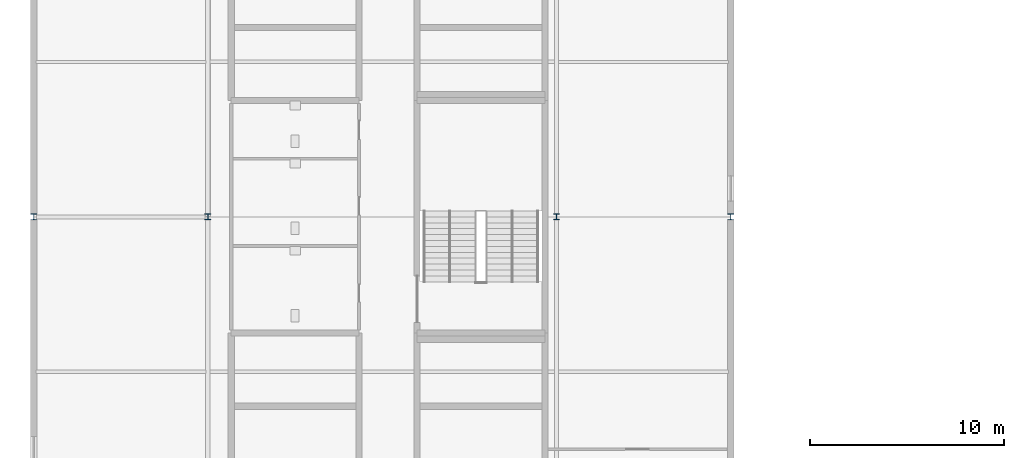
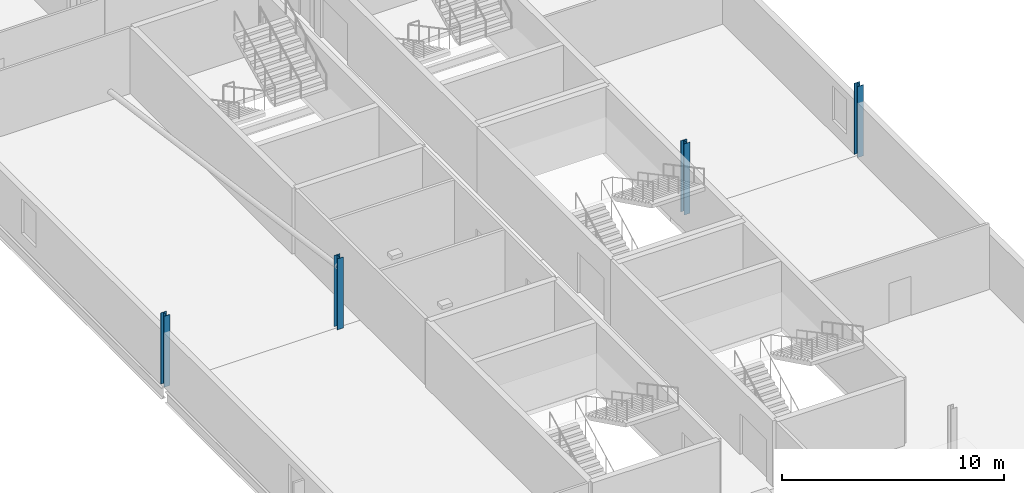
# One storey, part 3 of 31: 4 columns.
"""IFC4 building model written with IfcOpenShell, lengths in metres."""

from ifc_helpers import new_model, si_unit, direction, frame, origin, origin_2d, place, context, subcontext, project, spatial, i_section, extrude, material, material_profile, profile_set, type_object, element, save


model = new_model("IFC4")

# Units and contexts
model_context = context("Model", 3, precision=1e-05, world=origin(), true_north=direction((0.0, 1.0)))
body_context = subcontext(model_context, "Body", "Model", "MODEL_VIEW")
ifc_project = project(units=[si_unit("LENGTHUNIT", "METRE"), si_unit("AREAUNIT", "SQUARE_METRE"), si_unit("VOLUMEUNIT", "CUBIC_METRE"), si_unit("PLANEANGLEUNIT", "RADIAN"), si_unit("MASSUNIT", "GRAM", prefix="KILO")], contexts=[model_context])

# Site, building, storey
site_placement = place(None, origin())
site = spatial("IfcSite", under=ifc_project, at=site_placement, CompositionType="ELEMENT")
building_placement = place(site_placement, origin())
building = spatial("IfcBuilding", under=site, at=building_placement, Name="Kisiwana Market Hall", CompositionType="ELEMENT")
storey_placement = place(building_placement, frame((0.0, 0.0, 45.60009765625)))
storey = spatial("IfcBuildingStorey", under=building, at=storey_placement, Name="L10", CompositionType="ELEMENT", Elevation=45.60009765625)

# Columns
ifc_material_1 = material(Name="Steel S355", Category="steel")
ifc_material_profile_1 = material_profile(ifc_material_1, i_section(OverallWidth=0.300048828125, OverallDepth=0.320068359375, WebThickness=0.011474609375, FlangeThickness=0.0205078125, FilletRadius=0.027099609375, at=origin_2d()), Name="HEB 320")
ifc_profile_set_1 = profile_set([ifc_material_profile_1], Name="Steel S355")
column_type_1 = type_object("IfcColumnType", Name="COL-STL-HEB320", PredefinedType="COLUMN", material=ifc_profile_set_1)
for number, where, z_axis, x_axis, name in (
    (1, (0.0, 60.0, 0.0), (0.0, 0.0, 1.0), (1.0, 0.0, 0.0), "Column H/1 (L10) C-1269"),
    (2, (36.0, 60.0, 0.0), (0.0, 0.0, 1.0), (1.0, 0.0, 0.0), "Column H/5 (L10) C-1263"),
):
    element("IfcColumn", number, at=place(storey_placement, frame(where, z_axis=z_axis, x_axis=x_axis)), inside=storey, type_object=column_type_1, Name=name, PredefinedType="COLUMN", context=body_context, shape_type="SweptSolid", body=[
        extrude(i_section(OverallWidth=0.300048828125, OverallDepth=0.320068359375, WebThickness=0.011474609375, FlangeThickness=0.0205078125, FilletRadius=0.027099609375, at=origin_2d()), origin(), (0.0, 0.0, 1.0), 3.89990234375),
    ])
ifc_material_2 = material(Name="Steel S355", Category="steel")
ifc_material_profile_2 = material_profile(ifc_material_2, i_section(OverallWidth=0.307373046875, OverallDepth=0.314453125, WebThickness=0.011962890625, FlangeThickness=0.018798828125, FilletRadius=0.01513671875, at=origin_2d()), Name="UC 305x305x118")
ifc_profile_set_2 = profile_set([ifc_material_profile_2], Name="Steel S355")
column_type_2 = type_object("IfcColumnType", Name="COL-STL-UC118", PredefinedType="COLUMN", material=ifc_profile_set_2)
for number, where, z_axis, x_axis, name in (
    (3, (27.0, 60.0, 0.0), (0.0, 0.0, 1.0), (1.0, 0.0, 0.0), "Column H/4 (L10) C-1282"),
    (4, (9.0, 60.0, 0.0), (0.0, 0.0, 1.0), (1.0, 0.0, 0.0), "Column H/2 (L10) C-1262"),
):
    element("IfcColumn", number, at=place(storey_placement, frame(where, z_axis=z_axis, x_axis=x_axis)), inside=storey, type_object=column_type_2, Name=name, PredefinedType="COLUMN", context=body_context, shape_type="SweptSolid", body=[
        extrude(i_section(OverallWidth=0.307373046875, OverallDepth=0.314453125, WebThickness=0.011962890625, FlangeThickness=0.018798828125, FilletRadius=0.01513671875, at=origin_2d()), origin(), (0.0, 0.0, 1.0), 3.89990234375),
    ])

save(model, "model.ifc")
